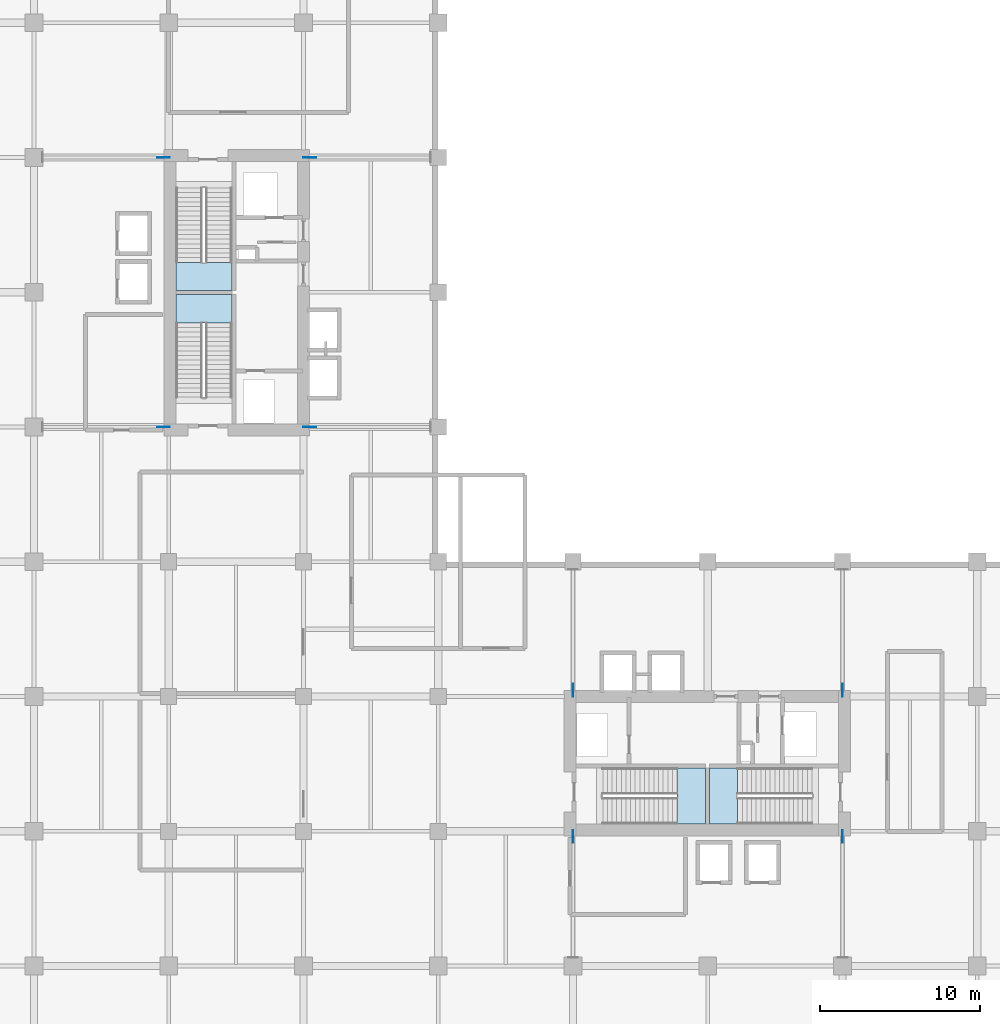
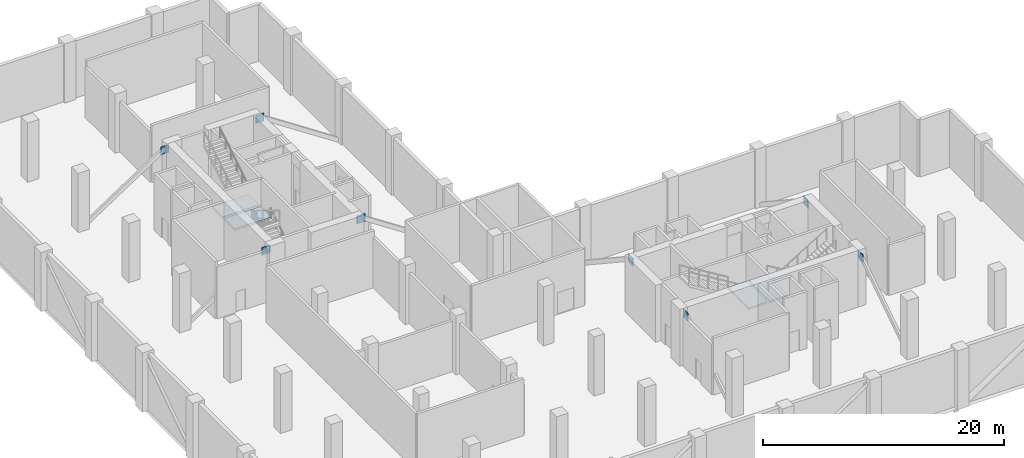
# One storey, part 3 of 16: 8 plates, 4 slabs, 4 elements without a shape of their own.
"""IFC4 building model written with IfcOpenShell, lengths in metres."""

import ifcopenshell
import ifcopenshell.guid

model = None  # the IFC model being written
_history = None  # IfcOwnerHistory: only IFC2X3 demands one
_inside = {}  # id of a spatial element -> (the spatial element, [elements in it])
_under = {}  # id of a project, library or spatial element -> (it, [spatial elements below it])
_declared = {}  # id of a project -> (the project, [libraries it declares])
_typed = {}  # id of a type object -> (the type object, [elements of that type])
_made_of = {}  # id of a material, layer set ... -> (it, [elements and type objects made of it])


def new_model(schema):
    """Start an empty IFC model of exactly this schema.

    Asked for "IFC4X3", IfcOpenShell would pick the latest addendum, in which some entities
    have other attributes; the version numbers below select the first issue.
    IFC2X3 requires an IfcOwnerHistory on every rooted entity: one is made here for all.
    """
    global model, _history
    if schema == "IFC4X3":
        model = ifcopenshell.file(schema_version=(4, 3, 0, 0))
    else:
        model = ifcopenshell.file(schema=schema)
    _inside.clear()
    _under.clear()
    _declared.clear()
    _typed.clear()
    _made_of.clear()
    _history = None
    if model.schema == "IFC2X3":
        org = make("IfcOrganization", Name="unknown")
        user = make(
            "IfcPersonAndOrganization",
            ThePerson=make("IfcPerson", FamilyName="unknown"),
            TheOrganization=org,
        )
        app = make(
            "IfcApplication",
            ApplicationDeveloper=org,
            Version="unknown",
            ApplicationFullName="unknown",
            ApplicationIdentifier="unknown",
        )
        _history = make(
            "IfcOwnerHistory",
            OwningUser=user,
            OwningApplication=app,
            ChangeAction="ADDED",
            CreationDate=0,
        )
    return model


def make(cls, **values):
    """One entity of the class cls with the attributes given. An attribute that is None is left unset."""
    return model.create_entity(
        cls, **{name: value for name, value in values.items() if value is not None}
    )


def rooted(cls, **values):
    """An entity with a GlobalId (a new one), such as an element, a storey or a relation."""
    return make(cls, GlobalId=ifcopenshell.guid.new(), OwnerHistory=_history, **values)


def si_unit(unit_type, name, prefix=None):
    """IfcSIUnit, for example si_unit("LENGTHUNIT", "METRE", prefix="MILLI")."""
    return make("IfcSIUnit", UnitType=unit_type, Prefix=prefix, Name=name)


def assignment(units):
    """IfcUnitAssignment: the units of a project."""
    return None if units is None else make("IfcUnitAssignment", Units=units)


def point(xyz):
    """IfcCartesianPoint."""
    return None if xyz is None else make("IfcCartesianPoint", Coordinates=xyz)


def direction(xyz):
    """IfcDirection."""
    return None if xyz is None else make("IfcDirection", DirectionRatios=xyz)


def frame(location, z_axis=None, x_axis=None):
    """IfcAxis2Placement3D, a coordinate frame: its origin and axes. An axis left out is left unset."""
    return make(
        "IfcAxis2Placement3D",
        Location=point(location),
        Axis=direction(z_axis),
        RefDirection=direction(x_axis),
    )


def frame_2d(location, x_axis=None):
    """IfcAxis2Placement2D, a coordinate frame in the plane: its origin and x axis."""
    return make(
        "IfcAxis2Placement2D", Location=point(location), RefDirection=direction(x_axis)
    )


def origin():
    """The frame at (0, 0, 0) with its axes left unset."""
    return frame((0.0, 0.0, 0.0))


def origin_2d():
    """The frame at (0, 0) in the plane with its x axis left unset."""
    return frame_2d((0.0, 0.0))


def place(relative_to, where):
    """IfcLocalPlacement: puts the frame where relative to a parent placement (None: the world)."""
    return make(
        "IfcLocalPlacement", PlacementRelTo=relative_to, RelativePlacement=where
    )


def context(
    kind, dimensions, precision=None, world=None, true_north=None, identifier=None
):
    """IfcGeometricRepresentationContext, for example the 3D "Model" context."""
    return make(
        "IfcGeometricRepresentationContext",
        ContextIdentifier=identifier,
        ContextType=kind,
        CoordinateSpaceDimension=dimensions,
        Precision=precision,
        WorldCoordinateSystem=world,
        TrueNorth=true_north,
    )


def subcontext(parent, identifier, kind, view, scale=None):
    """IfcGeometricRepresentationSubContext, for example "Body" below "Model"."""
    return make(
        "IfcGeometricRepresentationSubContext",
        ContextIdentifier=identifier,
        ContextType=kind,
        ParentContext=parent,
        TargetScale=scale,
        TargetView=view,
    )


def project(units=None, contexts=None):
    """IfcProject with its units and contexts."""
    return rooted(
        "IfcProject",
        Name="project",
        RepresentationContexts=contexts,
        UnitsInContext=assignment(units),
    )


def spatial(cls, under=None, at=None, **own):
    """A site, building, storey or space (cls), placed at a placement, below another one or the project."""
    s = rooted(cls, ObjectPlacement=at, **own)
    if under is not None:
        _under.setdefault(under.id(), (under, []))[1].append(s)
    return s


def polyline(points):
    """IfcPolyline through the points."""
    return make("IfcPolyline", Points=[point(p) for p in points])


def profile(cls, at=None, kind="AREA", **sizes):
    """A parametric profile (cls). Its sizes go by their IFC names, for example OverallWidth=200.0."""
    return make(cls, ProfileType=kind, Position=at, **sizes)


def rectangle(**sizes):
    """IfcRectangleProfileDef."""
    return profile("IfcRectangleProfileDef", **sizes)


def outline(outer, holes=None, kind="AREA"):
    """IfcArbitraryClosedProfileDef: a profile drawn as a closed curve; with holes, ...WithVoids."""
    if holes is None:
        return make("IfcArbitraryClosedProfileDef", ProfileType=kind, OuterCurve=outer)
    return make(
        "IfcArbitraryProfileDefWithVoids",
        ProfileType=kind,
        OuterCurve=outer,
        InnerCurves=holes,
    )


def extrude(swept, where, along, depth):
    """IfcExtrudedAreaSolid: the profile swept, set in the frame where, extruded along a direction by depth."""
    return make(
        "IfcExtrudedAreaSolid",
        SweptArea=swept,
        Position=where,
        ExtrudedDirection=direction(along),
        Depth=depth,
    )


def shape(context_of_items, identifier, shape_type, items):
    """IfcShapeRepresentation: the items that make up one representation, for example the "Body"."""
    return make(
        "IfcShapeRepresentation",
        ContextOfItems=context_of_items,
        RepresentationIdentifier=identifier,
        RepresentationType=shape_type,
        Items=items,
    )


def material(Name=None, Category=None):
    """IfcMaterial."""
    return make("IfcMaterial", Name=Name, Category=Category)


def layer(
    of_material, thickness, ventilated=None, Name=None, Category=None, Priority=None
):
    """IfcMaterialLayer: one layer of a wall or slab, of a material (None: an air gap)."""
    return make(
        "IfcMaterialLayer",
        Material=of_material,
        LayerThickness=thickness,
        IsVentilated=ventilated,
        Name=Name,
        Category=Category,
        Priority=Priority,
    )


def layer_set(layers, Name=None):
    """IfcMaterialLayerSet."""
    return make("IfcMaterialLayerSet", MaterialLayers=layers, LayerSetName=Name)


def made_of(thing, what):
    """Note that an element or type object is made of a material, layer set ...; save() writes the relation."""
    if what is not None:
        _made_of.setdefault(what.id(), (what, []))[1].append(thing)
    return thing


def type_object(cls, material=None, **own):
    """A type object (cls), such as IfcWallType, which elements share."""
    return made_of(rooted(cls, **own), material)


def element(
    cls,
    number,
    at=None,
    inside=None,
    cuts=None,
    type_object=None,
    material=None,
    context=None,
    identifier="Body",
    shape_type=None,
    held_by="IfcProductDefinitionShape",
    body=None,
    shapes=None,
    **own,
):
    """One element of the class cls, such as IfcWall. Its Tag is "e" and its number.

    at: its placement. inside: the storey or other place that contains it. cuts: it is an
    opening in that element (IfcRelVoidsElement). A single representation is given by context,
    identifier, shape_type and body (its items); several are given by shapes. held_by: the class
    of the entity that holds the representations. save() writes the other relations.
    """
    e = rooted(cls, Tag="e%d" % number, ObjectPlacement=at, **own)
    if body is not None:
        shapes = [shape(context, identifier, shape_type, body)]
    if shapes is not None:
        e.Representation = make(held_by, Representations=shapes)
    if inside is not None:
        _inside.setdefault(inside.id(), (inside, []))[1].append(e)
    if cuts is not None:
        rooted(
            "IfcRelVoidsElement", RelatingBuildingElement=cuts, RelatedOpeningElement=e
        )
    if type_object is not None:
        _typed.setdefault(type_object.id(), (type_object, []))[1].append(e)
    return made_of(e, material)


def aggregate(whole, parts):
    """IfcRelAggregates: a whole, such as a stair, and the parts it consists of."""
    return rooted("IfcRelAggregates", RelatingObject=whole, RelatedObjects=parts)


def save(model, path):
    """Write the relations noted so far, then the file.

    IfcRelAggregates (storeys below a building ...), IfcRelContainedInSpatialStructure (elements
    in a storey), IfcRelDefinesByType, IfcRelAssociatesMaterial and IfcRelDeclares: one each for
    every whole, place, type object, material and project.
    """
    for whole, parts in _under.values():
        aggregate(whole, parts)
    for where, things in _inside.values():
        rooted(
            "IfcRelContainedInSpatialStructure",
            RelatedElements=things,
            RelatingStructure=where,
        )
    for kind, things in _typed.values():
        rooted("IfcRelDefinesByType", RelatedObjects=things, RelatingType=kind)
    for what, things in _made_of.values():
        rooted("IfcRelAssociatesMaterial", RelatedObjects=things, RelatingMaterial=what)
    for by, libraries in _declared.values():
        rooted("IfcRelDeclares", RelatingContext=by, RelatedDefinitions=libraries)
    model.write(path)


model = new_model("IFC4")

# Units and contexts
model_context = context("Model", 3, precision=1e-05, world=origin(), true_north=direction((0.0, 1.0)))
body_context = subcontext(model_context, "Body", "Model", "MODEL_VIEW")
ifc_project = project(units=[si_unit("LENGTHUNIT", "METRE"), si_unit("AREAUNIT", "SQUARE_METRE"), si_unit("VOLUMEUNIT", "CUBIC_METRE"), si_unit("PLANEANGLEUNIT", "RADIAN"), si_unit("MASSUNIT", "GRAM", prefix="KILO")], contexts=[model_context])

# Site, building, storey
site_placement = place(None, origin())
site = spatial("IfcSite", under=ifc_project, at=site_placement, CompositionType="ELEMENT")
building_placement = place(site_placement, origin())
building = spatial("IfcBuilding", under=site, at=building_placement, Name="Koriwani Terraces Tower", CompositionType="ELEMENT")
storey_placement = place(building_placement, frame((0.0, 0.0, 162.0)))
storey = spatial("IfcBuildingStorey", under=building, at=storey_placement, Name="L39", CompositionType="ELEMENT", Elevation=162.0)

# Stair, slab
ifc_material_1 = material(Name="Concrete C40/50", Category="concrete")
stair_type = type_object("IfcStairType", Name="STAIR_CORE_DOGLEG_1650", PredefinedType="TWO_STRAIGHT_RUN_STAIR", material=ifc_material_1)
stair_1_placement = place(storey_placement, origin())
stair_1 = element("IfcStair", 1, at=stair_1_placement, inside=storey, type_object=stair_type, Name="L39 West Core Exit Stair 1", PredefinedType="HALF_TURN_STAIR")
ifc_layer_1 = layer(ifc_material_1, 0.199951171875, Name="Concrete C40/50")
ifc_layer_set_1 = layer_set([ifc_layer_1], Name="Concrete C40/50")
slab_type = type_object("IfcSlabType", Name="SLAB_STAIR_LANDING_200", PredefinedType="LANDING", material=ifc_layer_set_1)
slab_1_placement = place(storey_placement, frame((0.0, 0.0, 2.800048828125)))
slab_1 = element("IfcSlab", 2, at=slab_1_placement, type_object=slab_type, Name="ST-W1 landing 1", PredefinedType="LANDING", context=body_context, shape_type="SweptSolid", body=[
    extrude(outline(polyline([(20.75, 48.489990234375), (20.75, 50.25), (17.25, 50.25), (17.25, 48.489990234375), (20.75, 48.489990234375)])), origin(), (0.0, 0.0, 1.0), 0.199951171875),
])
aggregate(stair_1, [slab_1])

stair_2_placement = place(storey_placement, origin())
stair_2 = element("IfcStair", 3, at=stair_2_placement, inside=storey, type_object=stair_type, Name="L39 West Core Exit Stair 2", PredefinedType="HALF_TURN_STAIR")
slab_2_placement = place(storey_placement, frame((0.0, 0.0, 2.800048828125)))
slab_2 = element("IfcSlab", 4, at=slab_2_placement, type_object=slab_type, Name="ST-W2 landing 1", PredefinedType="LANDING", context=body_context, shape_type="SweptSolid", body=[
    extrude(outline(polyline([(17.25, 52.260009765625), (17.25, 50.5), (20.75, 50.5), (20.75, 52.260009765625), (17.25, 52.260009765625)])), origin(), (0.0, 0.0, 1.0), 0.199951171875),
])
aggregate(stair_2, [slab_2])

stair_3_placement = place(storey_placement, origin())
stair_3 = element("IfcStair", 5, at=stair_3_placement, inside=storey, type_object=stair_type, Name="L39 East Core Exit Stair 1", PredefinedType="HALF_TURN_STAIR")
slab_3_placement = place(storey_placement, frame((0.0, 0.0, 2.800048828125)))
slab_3 = element("IfcSlab", 6, at=slab_3_placement, type_object=slab_type, Name="ST-E1 landing 1", PredefinedType="LANDING", context=body_context, shape_type="SweptSolid", body=[
    extrude(outline(polyline([(48.489990234375, 17.25), (50.25, 17.25), (50.25, 20.75), (48.489990234375, 20.75), (48.489990234375, 17.25)])), origin(), (0.0, 0.0, 1.0), 0.199951171875),
])
aggregate(stair_3, [slab_3])

stair_4_placement = place(storey_placement, origin())
stair_4 = element("IfcStair", 7, at=stair_4_placement, inside=storey, type_object=stair_type, Name="L39 East Core Exit Stair 2", PredefinedType="HALF_TURN_STAIR")
slab_4_placement = place(storey_placement, frame((0.0, 0.0, 2.800048828125)))
slab_4 = element("IfcSlab", 8, at=slab_4_placement, type_object=slab_type, Name="ST-E2 landing 1", PredefinedType="LANDING", context=body_context, shape_type="SweptSolid", body=[
    extrude(outline(polyline([(52.260009765625, 20.75), (50.5, 20.75), (50.5, 17.25), (52.260009765625, 17.25), (52.260009765625, 20.75)])), origin(), (0.0, 0.0, 1.0), 0.199951171875),
])
aggregate(stair_4, [slab_4])

# Plates
ifc_material_2 = material(Name="Steel ASTM A572 Grade 50", Category="steel")
ifc_layer_2 = layer(ifc_material_2, 0.0400390625, Name="Steel ASTM A572 Grade 50")
ifc_layer_set_2 = layer_set([ifc_layer_2], Name="Steel ASTM A572 Grade 50")
plate_type = type_object("IfcPlateType", Name="STEEL_GUSSET_PLATE_40", PredefinedType="USERDEFINED", material=ifc_layer_set_2)
for number, where, z_axis, x_axis, name in (
    (9, (16.47998046875, 42.0, 4.669921875), (0.0, 0.0, 1.0), (1.0, 0.0, 0.0), "Outrigger truss node gusset plate L39-OW-W1"),
    (10, (16.47998046875, 58.800048828125, 4.669921875), (0.0, 0.0, 1.0), (1.0, 0.0, 0.0), "Outrigger truss node gusset plate L39-OW-W2"),
    (11, (25.594970703125, 42.0, 4.669921875), (0.0, 0.0, 1.0), (-1.0, 0.0, 0.0), "Outrigger truss node gusset plate L39-OW-E1"),
    (12, (25.594970703125, 58.800048828125, 4.669921875), (0.0, 0.0, 1.0), (-1.0, 0.0, 0.0), "Outrigger truss node gusset plate L39-OW-E2"),
    (13, (42.0, 16.47998046875, 4.669921875), (0.0, 0.0, 1.0), (0.0, 1.0, 0.0), "Outrigger truss node gusset plate L39-OE-S1"),
    (14, (58.800048828125, 16.47998046875, 4.669921875), (0.0, 0.0, 1.0), (0.0, 1.0, 0.0), "Outrigger truss node gusset plate L39-OE-S2"),
    (15, (42.0, 25.594970703125, 4.669921875), (0.0, 0.0, 1.0), (0.0, -1.0, 0.0), "Outrigger truss node gusset plate L39-OE-N1"),
    (16, (58.800048828125, 25.594970703125, 4.669921875), (0.0, 0.0, 1.0), (0.0, -1.0, 0.0), "Outrigger truss node gusset plate L39-OE-N2"),
):
    element("IfcPlate", number, at=place(storey_placement, frame(where, z_axis=z_axis, x_axis=x_axis)), inside=storey, type_object=plate_type, Name=name, ObjectType="GUSSET_PLATE", PredefinedType="USERDEFINED", context=body_context, shape_type="SweptSolid", body=[
        extrude(rectangle(XDim=0.800048828125, YDim=0.0400390625, at=origin_2d()), origin(), (0.0, 0.0, 1.0), 0.800048828125),
    ])

save(model, "model.ifc")
